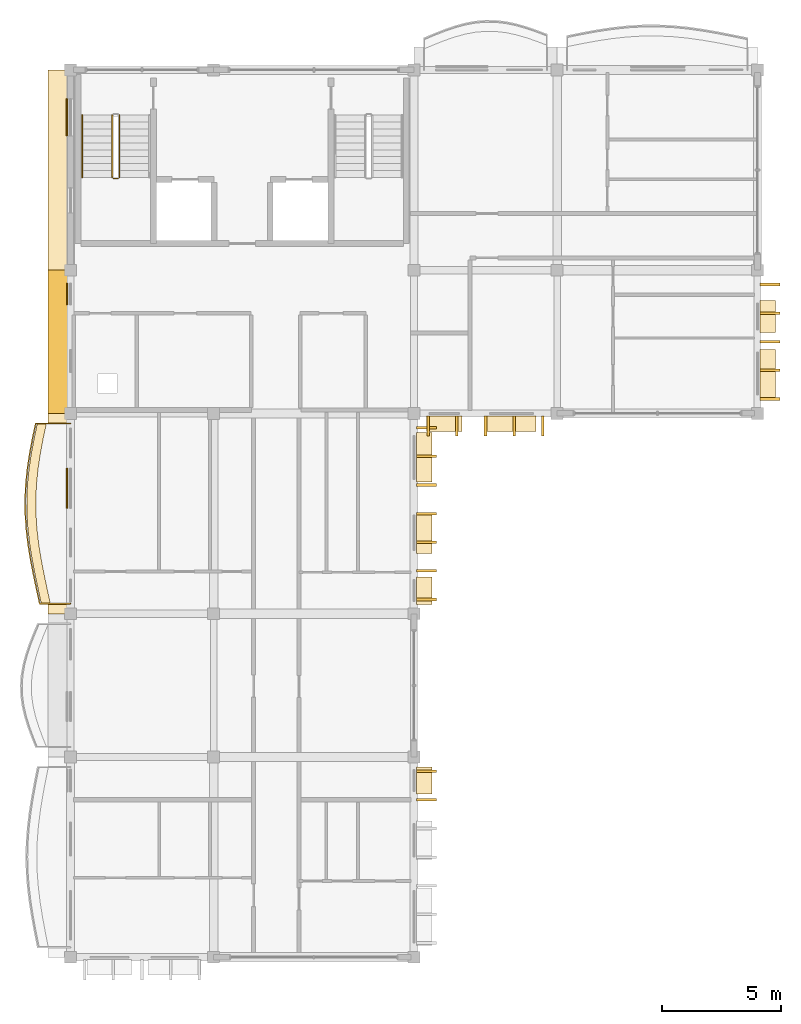
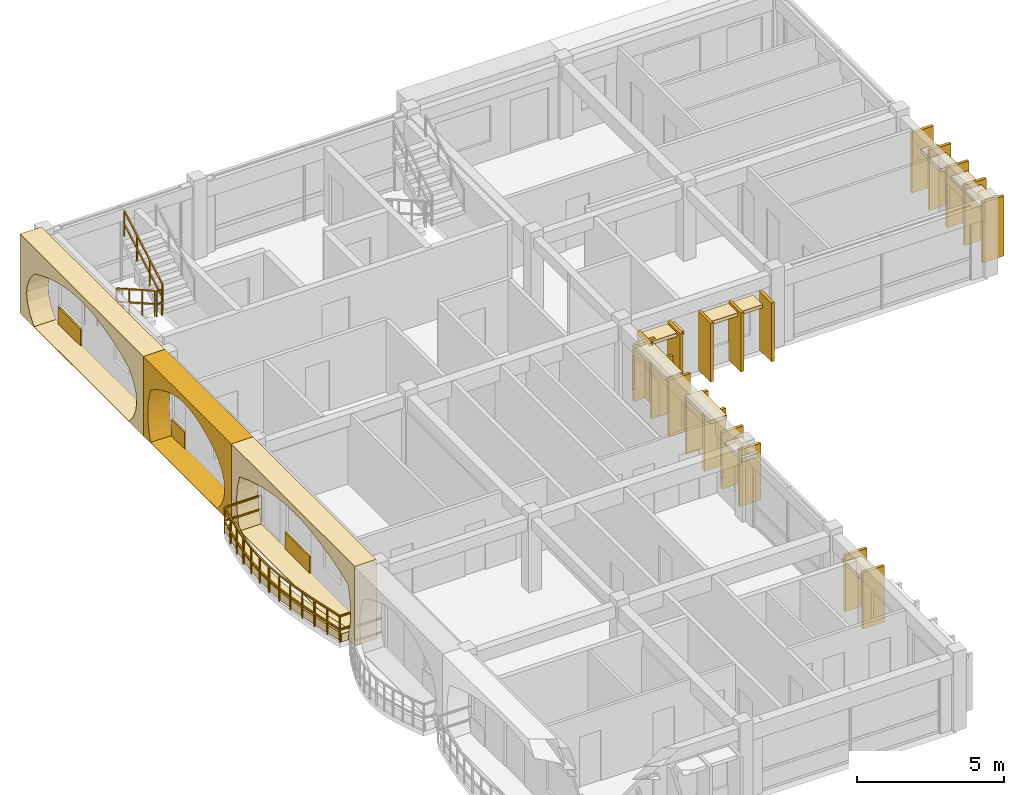
# One storey, part 9 of 10: 34 coverings, 5 railings.
"""IFC4 building model written with IfcOpenShell, lengths in metres."""

from ifc_helpers import new_model, si_unit, direction, frame, origin, origin_2d, place, context, subcontext, project, spatial, polyline, rectangle, outline, extrude, material, layer, layer_set, type_object, element, save


model = new_model("IFC4")

# Units and contexts
model_context = context("Model", 3, precision=1e-05, world=origin(), true_north=direction((0.0, 1.0)))
body_context = subcontext(model_context, "Body", "Model", "MODEL_VIEW")
ifc_project = project(units=[si_unit("LENGTHUNIT", "METRE"), si_unit("AREAUNIT", "SQUARE_METRE"), si_unit("VOLUMEUNIT", "CUBIC_METRE"), si_unit("PLANEANGLEUNIT", "RADIAN"), si_unit("MASSUNIT", "GRAM", prefix="KILO"), si_unit("THERMODYNAMICTEMPERATUREUNIT", "KELVIN")], contexts=[model_context])

# Site, building, storey
site_placement = place(None, origin())
site = spatial("IfcSite", under=ifc_project, at=site_placement, CompositionType="ELEMENT")
building_placement = place(site_placement, origin())
building = spatial("IfcBuilding", under=site, at=building_placement, Name="Thalorik Housing Commons", CompositionType="ELEMENT")
storey_placement = place(building_placement, frame((0.0, 0.0, 44.39990234375)))
storey = spatial("IfcBuildingStorey", under=building, at=storey_placement, Name="L13", CompositionType="ELEMENT", Elevation=44.39990234375)

# Coverings
ifc_material_1 = material(Name="Cobalt blue glazed ceramic facade tile panel", Category="masonry")
ifc_layer_1 = layer(ifc_material_1, 0.06005859375, Name="Cobalt blue glazed ceramic facade tile panel", Category="masonry")
ifc_layer_set_1 = layer_set([ifc_layer_1], Name="Cobalt blue glazed ceramic facade tile panel")
covering_type_1 = type_object("IfcCoveringType", Name="ARC-CLD-BLU-60", PredefinedType="CLADDING", material=ifc_layer_set_1)
covering_1_placement = place(storey_placement, frame((8.262451171875, 106.0673828125, 0.05029296875), z_axis=(0.0, 0.0, 1.0), x_axis=(0.0, -1.0, 0.0)))
element("IfcCovering", 1, at=covering_1_placement, inside=storey, type_object=covering_type_1, Name="L13 De Stijl Recessed Window Spandrel 1286", PredefinedType="CLADDING", context=body_context, shape_type="SweptSolid", body=[
    extrude(rectangle(XDim=1.679931640625, YDim=0.06005859375, at=origin_2d()), origin(), (0.0, 0.0, 1.0), 0.699951171875),
])
ifc_material_2 = material(Name="Precast concrete C40/50", Category="concrete")
ifc_layer_2 = layer(ifc_material_2, 0.85009765625, Name="Precast concrete C40/50", Category="concrete")
ifc_layer_set_2 = layer_set([ifc_layer_2], Name="Precast concrete C40/50")
covering_type_2 = type_object("IfcCoveringType", Name="ARC-CLD-CUSH-850", PredefinedType="CLADDING", material=ifc_layer_set_2)
covering_2_placement = place(storey_placement, frame((7.87255859375, 119.39990234375, 0.0), z_axis=(0.0, 0.0, 1.0), x_axis=(0.0, -1.0, 0.0)))
element("IfcCovering", 2, at=covering_2_placement, inside=storey, type_object=covering_type_2, Name="L13 White Precast Curved Cushion Bay Frame 1281", PredefinedType="CLADDING", context=body_context, shape_type="SweptSolid", body=[
    extrude(outline(polyline([(-4.199951171875, 0.0), (4.199951171875, 0.0), (4.199951171875, 3.300048828125), (-4.199951171875, 3.300048828125), (-4.199951171875, 0.0)]), holes=[polyline([(3.239990234375, 0.02490234375), (3.523193359375, 0.390869140625), (3.693359375, 0.756591796875), (3.75, 1.12255859375), (3.693359375, 1.48828125), (3.523193359375, 1.854248046875), (3.239990234375, 2.219970703125), (2.699951171875, 2.469482421875), (2.159912109375, 2.66552734375), (1.6201171875, 2.824462890625), (1.080078125, 2.9423828125), (0.5400390625, 3.015380859375), (0.0, 3.0400390625), (-0.5400390625, 3.015380859375), (-1.080078125, 2.9423828125), (-1.6201171875, 2.824462890625), (-2.159912109375, 2.66552734375), (-2.699951171875, 2.469482421875), (-3.239990234375, 2.219970703125), (-3.523193359375, 1.854248046875), (-3.693359375, 1.48828125), (-3.75, 1.12255859375), (-3.693359375, 0.756591796875), (-3.523193359375, 0.390869140625), (-3.239990234375, 0.02490234375), (3.239990234375, 0.02490234375)])]), frame((0.0, 0.425048828125, 0.0), z_axis=(0.0, -1.0, 0.0), x_axis=(1.0, 0.0, 0.0)), (0.0, 0.0, 1.0), 0.85009765625),
])
covering_3_placement = place(storey_placement, frame((7.87255859375, 112.199951171875, 0.0), z_axis=(0.0, 0.0, 1.0), x_axis=(0.0, -1.0, 0.0)))
element("IfcCovering", 3, at=covering_3_placement, inside=storey, type_object=covering_type_2, Name="L13 White Precast Curved Cushion Bay Frame 1283", PredefinedType="CLADDING", context=body_context, shape_type="SweptSolid", body=[
    extrude(outline(polyline([(-3.0, 0.0), (3.0, 0.0), (3.0, 3.300048828125), (-3.0, 3.300048828125), (-3.0, 0.0)]), holes=[polyline([(2.0400390625, 0.02490234375), (2.3232421875, 0.387451171875), (2.493408203125, 0.75), (2.550048828125, 1.112548828125), (2.493408203125, 1.47509765625), (2.3232421875, 1.83740234375), (2.0400390625, 2.199951171875), (1.661376953125, 2.455810546875), (1.282470703125, 2.656494140625), (0.90380859375, 2.819091796875), (0.52490234375, 2.940185546875), (0.146240234375, 3.014892578125), (-0.232421875, 3.0400390625), (-0.611328125, 3.014892578125), (-0.989990234375, 2.940185546875), (-1.36865234375, 2.819091796875), (-1.74755859375, 2.656494140625), (-2.126220703125, 2.455810546875), (-2.5048828125, 2.199951171875), (-2.609619140625, 1.83740234375), (-2.672119140625, 1.47509765625), (-2.693115234375, 1.112548828125), (-2.672119140625, 0.75), (-2.609619140625, 0.387451171875), (-2.5048828125, 0.02490234375), (2.0400390625, 0.02490234375)])]), frame((0.0, 0.425048828125, 0.0), z_axis=(0.0, -1.0, 0.0), x_axis=(1.0, 0.0, 0.0)), (0.0, 0.0, 1.0), 0.85009765625),
])
covering_4_placement = place(storey_placement, frame((7.87255859375, 105.0, 0.0), z_axis=(0.0, 0.0, 1.0), x_axis=(0.0, -1.0, 0.0)))
element("IfcCovering", 4, at=covering_4_placement, inside=storey, type_object=covering_type_2, Name="L13 White Precast Curved Cushion Bay Frame 1285", PredefinedType="CLADDING", context=body_context, shape_type="SweptSolid", body=[
    extrude(outline(polyline([(-4.199951171875, 0.0), (4.199951171875, 0.0), (4.199951171875, 3.300048828125), (-4.199951171875, 3.300048828125), (-4.199951171875, 0.0)]), holes=[polyline([(3.7451171875, 0.02490234375), (3.841064453125, 0.40087890625), (3.898681640625, 0.776611328125), (3.91796875, 1.152587890625), (3.898681640625, 1.5283203125), (3.841064453125, 1.904296875), (3.7451171875, 2.280029296875), (3.13037109375, 2.51123046875), (2.515869140625, 2.693115234375), (1.9013671875, 2.840087890625), (1.28662109375, 2.94970703125), (0.672119140625, 3.01708984375), (0.0576171875, 3.0400390625), (-0.55712890625, 3.01708984375), (-1.171630859375, 2.94970703125), (-1.7861328125, 2.840087890625), (-2.40087890625, 2.693115234375), (-3.015380859375, 2.51123046875), (-3.6298828125, 2.280029296875), (-3.750244140625, 1.904296875), (-3.822509765625, 1.5283203125), (-3.8466796875, 1.152587890625), (-3.822509765625, 0.776611328125), (-3.750244140625, 0.40087890625), (-3.6298828125, 0.02490234375), (3.7451171875, 0.02490234375)])]), frame((0.0, 0.425048828125, 0.0), z_axis=(0.0, -1.0, 0.0), x_axis=(1.0, 0.0, 0.0)), (0.0, 0.0, 1.0), 0.85009765625),
])
ifc_layer_3 = layer(ifc_material_2, 0.85009765625, Name="Precast concrete C40/50", Category="concrete")
ifc_layer_set_3 = layer_set([ifc_layer_3], Name="Precast concrete C40/50")
covering_type_3 = type_object("IfcCoveringType", Name="ARC-CLD-FIN-850", PredefinedType="CLADDING", material=ifc_layer_set_3)
for number, where, z_axis, x_axis, name in (
    (5, (23.39990234375, 108.672607421875, 0.0400390625), (0.0, 0.0, 1.0), (1.0, 0.0, 0.0), "L13 Courtyard Precast Vertical Brise-Soleil Fin 1263"),
    (6, (24.60009765625, 108.672607421875, 0.0400390625), (0.0, 0.0, 1.0), (1.0, 0.0, 0.0), "L13 Courtyard Precast Vertical Brise-Soleil Fin 1264"),
    (7, (25.800048828125, 108.672607421875, 0.0400390625), (0.0, 0.0, 1.0), (1.0, 0.0, 0.0), "L13 Courtyard Precast Vertical Brise-Soleil Fin 1265"),
    (8, (27.0, 108.672607421875, 0.0400390625), (0.0, 0.0, 1.0), (1.0, 0.0, 0.0), "L13 Courtyard Precast Vertical Brise-Soleil Fin 1266"),
    (9, (28.199951171875, 108.672607421875, 0.0400390625), (0.0, 0.0, 1.0), (1.0, 0.0, 0.0), "L13 Courtyard Precast Vertical Brise-Soleil Fin 1267"),
):
    element("IfcCovering", number, at=place(storey_placement, frame(where, z_axis=z_axis, x_axis=x_axis)), inside=storey, type_object=covering_type_3, Name=name, PredefinedType="CLADDING", context=body_context, shape_type="SweptSolid", body=[
        extrude(rectangle(XDim=0.110107421875, YDim=0.85009765625, at=origin_2d()), origin(), (0.0, 0.0, 1.0), 2.445068359375),
    ])
for number, where, z_axis, x_axis, name in (
    (10, (37.7275390625, 109.800048828125, 0.0400390625), (0.0, 0.0, 1.0), (0.0, 1.0, 0.0), "L13 Courtyard Precast Vertical Brise-Soleil Fin 1270"),
    (11, (37.7275390625, 111.0, 0.0400390625), (0.0, 0.0, 1.0), (0.0, 1.0, 0.0), "L13 Courtyard Precast Vertical Brise-Soleil Fin 1271"),
    (12, (37.7275390625, 112.199951171875, 0.0400390625), (0.0, 0.0, 1.0), (0.0, 1.0, 0.0), "L13 Courtyard Precast Vertical Brise-Soleil Fin 1272"),
    (13, (37.7275390625, 113.39990234375, 0.0400390625), (0.0, 0.0, 1.0), (0.0, 1.0, 0.0), "L13 Courtyard Precast Vertical Brise-Soleil Fin 1273"),
    (14, (37.7275390625, 114.60009765625, 0.0400390625), (0.0, 0.0, 1.0), (0.0, 1.0, 0.0), "L13 Courtyard Precast Vertical Brise-Soleil Fin 1274"),
):
    element("IfcCovering", number, at=place(storey_placement, frame(where, z_axis=z_axis, x_axis=x_axis)), inside=storey, type_object=covering_type_3, Name=name, PredefinedType="CLADDING", context=body_context, shape_type="SweptSolid", body=[
        extrude(rectangle(XDim=0.110107421875, YDim=0.85009765625, at=origin_2d()), origin(), (0.0, 0.0, 1.0), 2.4951171875),
    ])
for number, where, z_axis, x_axis, name in (
    (15, (23.327392578125, 93.0, 0.0400390625), (0.0, 0.0, 1.0), (0.0, 1.0, 0.0), "L13 Courtyard Precast Vertical Brise-Soleil Fin 1303"),
    (16, (23.327392578125, 94.199951171875, 0.0400390625), (0.0, 0.0, 1.0), (0.0, 1.0, 0.0), "L13 Courtyard Precast Vertical Brise-Soleil Fin 1304"),
    (17, (23.327392578125, 101.39990234375, 0.0400390625), (0.0, 0.0, 1.0), (0.0, 1.0, 0.0), "L13 Courtyard Precast Vertical Brise-Soleil Fin 1308"),
    (18, (23.327392578125, 102.60009765625, 0.0400390625), (0.0, 0.0, 1.0), (0.0, 1.0, 0.0), "L13 Courtyard Precast Vertical Brise-Soleil Fin 1309"),
    (19, (23.327392578125, 103.800048828125, 0.0400390625), (0.0, 0.0, 1.0), (0.0, 1.0, 0.0), "L13 Courtyard Precast Vertical Brise-Soleil Fin 1310"),
    (20, (23.327392578125, 105.0, 0.0400390625), (0.0, 0.0, 1.0), (0.0, 1.0, 0.0), "L13 Courtyard Precast Vertical Brise-Soleil Fin 1311"),
    (21, (23.327392578125, 106.199951171875, 0.0400390625), (0.0, 0.0, 1.0), (0.0, 1.0, 0.0), "L13 Courtyard Precast Vertical Brise-Soleil Fin 1312"),
    (22, (23.327392578125, 107.39990234375, 0.0400390625), (0.0, 0.0, 1.0), (0.0, 1.0, 0.0), "L13 Courtyard Precast Vertical Brise-Soleil Fin 1313"),
    (23, (23.327392578125, 108.60009765625, 0.0400390625), (0.0, 0.0, 1.0), (0.0, 1.0, 0.0), "L13 Courtyard Precast Vertical Brise-Soleil Fin 1314"),
):
    element("IfcCovering", number, at=place(storey_placement, frame(where, z_axis=z_axis, x_axis=x_axis)), inside=storey, type_object=covering_type_3, Name=name, PredefinedType="CLADDING", context=body_context, shape_type="SweptSolid", body=[
        extrude(rectangle(XDim=0.110107421875, YDim=0.85009765625, at=origin_2d()), origin(), (0.0, 0.0, 1.0), 2.344970703125),
    ])
ifc_layer_4 = layer(ifc_material_2, 0.64990234375, Name="Precast concrete C40/50", Category="concrete")
ifc_layer_set_4 = layer_set([ifc_layer_4], Name="Precast concrete C40/50")
covering_type_4 = type_object("IfcCoveringType", Name="ARC-CLD-HOOD-650", PredefinedType="CLADDING", material=ifc_layer_set_4)
covering_5_placement = place(storey_placement, frame((24.070068359375, 108.7724609375, 2.240234375), z_axis=(0.0, 0.0, 1.0), x_axis=(1.0, 0.0, 0.0)))
element("IfcCovering", 24, at=covering_5_placement, inside=storey, type_object=covering_type_4, Name="L13 Courtyard Precast Window Sun-Hood 1268", PredefinedType="CLADDING", context=body_context, shape_type="SweptSolid", body=[
    extrude(rectangle(XDim=1.489990234375, YDim=0.64990234375, at=origin_2d()), origin(), (0.0, 0.0, 1.0), 0.139892578125),
])
covering_6_placement = place(storey_placement, frame((26.8798828125, 108.7724609375, 2.25), z_axis=(0.0, 0.0, 1.0), x_axis=(1.0, 0.0, 0.0)))
element("IfcCovering", 25, at=covering_6_placement, inside=storey, type_object=covering_type_4, Name="L13 Courtyard Precast Window Sun-Hood 1269", PredefinedType="CLADDING", context=body_context, shape_type="SweptSolid", body=[
    extrude(rectangle(XDim=2.06005859375, YDim=0.64990234375, at=origin_2d()), origin(), (0.0, 0.0, 1.0), 0.139892578125),
])
covering_7_placement = place(storey_placement, frame((37.62744140625, 110.87548828125, 2.2099609375), z_axis=(0.0, 0.0, 1.0), x_axis=(0.0, 1.0, 0.0)))
element("IfcCovering", 26, at=covering_7_placement, inside=storey, type_object=covering_type_4, Name="L13 Courtyard Precast Window Sun-Hood 1275", PredefinedType="CLADDING", context=body_context, shape_type="SweptSolid", body=[
    extrude(rectangle(XDim=2.02001953125, YDim=0.64990234375, at=origin_2d()), origin(), (0.0, 0.0, 1.0), 0.139892578125),
])
covering_8_placement = place(storey_placement, frame((37.62744140625, 113.26513671875, 2.09033203125), z_axis=(0.0, 0.0, 1.0), x_axis=(0.0, 1.0, 0.0)))
element("IfcCovering", 27, at=covering_8_placement, inside=storey, type_object=covering_type_4, Name="L13 Courtyard Precast Window Sun-Hood 1276", PredefinedType="CLADDING", context=body_context, shape_type="SweptSolid", body=[
    extrude(rectangle(XDim=1.340087890625, YDim=0.64990234375, at=origin_2d()), origin(), (0.0, 0.0, 1.0), 0.139892578125),
])
for number, where, z_axis, x_axis, name in (
    (28, (23.2275390625, 93.804931640625, 1.990234375), (0.0, 0.0, 1.0), (0.0, 1.0, 0.0), "L13 Courtyard Precast Window Sun-Hood 1307"),
    (29, (23.2275390625, 101.7666015625, 1.990234375), (0.0, 0.0, 1.0), (0.0, 1.0, 0.0), "L13 Courtyard Precast Window Sun-Hood 1315"),
):
    element("IfcCovering", number, at=place(storey_placement, frame(where, z_axis=z_axis, x_axis=x_axis)), inside=storey, type_object=covering_type_4, Name=name, PredefinedType="CLADDING", context=body_context, shape_type="SweptSolid", body=[
        extrude(rectangle(XDim=1.139892578125, YDim=0.64990234375, at=origin_2d()), origin(), (0.0, 0.0, 1.0), 0.139892578125),
    ])
covering_9_placement = place(storey_placement, frame((23.2275390625, 104.19482421875, 2.275390625), z_axis=(0.0, 0.0, 1.0), x_axis=(0.0, 1.0, 0.0)))
element("IfcCovering", 30, at=covering_9_placement, inside=storey, type_object=covering_type_4, Name="L13 Courtyard Precast Window Sun-Hood 1316", PredefinedType="CLADDING", context=body_context, shape_type="SweptSolid", body=[
    extrude(rectangle(XDim=1.719970703125, YDim=0.64990234375, at=origin_2d()), origin(), (0.0, 0.0, 1.0), 0.139892578125),
])
covering_10_placement = place(storey_placement, frame((23.2275390625, 107.3583984375, 2.25), z_axis=(0.0, 0.0, 1.0), x_axis=(0.0, 1.0, 0.0)))
element("IfcCovering", 31, at=covering_10_placement, inside=storey, type_object=covering_type_4, Name="L13 Courtyard Precast Window Sun-Hood 1317", PredefinedType="CLADDING", context=body_context, shape_type="SweptSolid", body=[
    extrude(rectangle(XDim=2.06005859375, YDim=0.64990234375, at=origin_2d()), origin(), (0.0, 0.0, 1.0), 0.139892578125),
])
ifc_material_3 = material(Name="Terracotta red mineral fibre-cement panel", Category="masonry")
ifc_layer_5 = layer(ifc_material_3, 0.054931640625, Name="Terracotta red mineral fibre-cement panel", Category="masonry")
ifc_layer_set_5 = layer_set([ifc_layer_5], Name="Terracotta red mineral fibre-cement panel")
covering_type_5 = type_object("IfcCoveringType", Name="ARC-CLD-RED-55", PredefinedType="CLADDING", material=ifc_layer_set_5)
covering_11_placement = place(storey_placement, frame((8.264892578125, 114.205078125, 0.05029296875), z_axis=(0.0, 0.0, 1.0), x_axis=(0.0, -1.0, 0.0)))
element("IfcCovering", 32, at=covering_11_placement, inside=storey, type_object=covering_type_5, Name="L13 De Stijl Recessed Window Spandrel 1284", PredefinedType="CLADDING", context=body_context, shape_type="SweptSolid", body=[
    extrude(rectangle(XDim=0.89990234375, YDim=0.054931640625, at=origin_2d()), origin(), (0.0, 0.0, 1.0), 0.699951171875),
])
ifc_material_4 = material(Name="Mineral ochre architectural terracotta panel", Category="masonry")
ifc_layer_6 = layer(ifc_material_4, 0.06494140625, Name="Mineral ochre architectural terracotta panel", Category="masonry")
ifc_layer_set_6 = layer_set([ifc_layer_6], Name="Mineral ochre architectural terracotta panel")
covering_type_6 = type_object("IfcCoveringType", Name="ARC-CLD-YEL-65", PredefinedType="CLADDING", material=ifc_layer_set_6)
covering_12_placement = place(storey_placement, frame((8.260009765625, 121.603759765625, 0.05029296875), z_axis=(0.0, 0.0, 1.0), x_axis=(0.0, -1.0, 0.0)))
element("IfcCovering", 33, at=covering_12_placement, inside=storey, type_object=covering_type_6, Name="L13 De Stijl Recessed Window Spandrel 1282", PredefinedType="CLADDING", context=body_context, shape_type="SweptSolid", body=[
    extrude(rectangle(XDim=1.550048828125, YDim=0.06494140625, at=origin_2d()), origin(), (0.0, 0.0, 1.0), 0.699951171875),
])
ifc_material_5 = material(Name="Planted vegetated substrate and terracotta trough", Category="masonry")
ifc_layer_7 = layer(ifc_material_5, 0.340087890625, Name="Planted vegetated substrate and terracotta trough", Category="masonry")
ifc_layer_set_7 = layer_set([ifc_layer_7], Name="Planted vegetated substrate and terracotta trough")
covering_type_7 = type_object("IfcCoveringType", Name="ARC-COV-PLANTER", PredefinedType="USERDEFINED", material=ifc_layer_set_7)
covering_13_placement = place(storey_placement, origin())
element("IfcCovering", 34, at=covering_13_placement, inside=storey, type_object=covering_type_7, Name="L13 Balcony Slab-Edge Planted Trough 5406", ObjectType="PLANTER", PredefinedType="USERDEFINED", context=body_context, shape_type="SweptSolid", body=[
    extrude(outline(polyline([(7.010498046875, 108.780029296875), (6.87646484375, 108.14990234375), (6.75830078125, 107.52001953125), (6.66357421875, 106.889892578125), (6.598876953125, 106.260009765625), (6.568115234375, 105.6298828125), (6.572998046875, 105.0), (6.61376953125, 104.3701171875), (6.686767578125, 103.739990234375), (6.787109375, 103.110107421875), (6.908203125, 102.47998046875), (7.04150390625, 101.85009765625), (7.17822265625, 101.219970703125), (7.558349609375, 101.219970703125), (7.42138671875, 101.85009765625), (7.2880859375, 102.47998046875), (7.167236328125, 103.110107421875), (7.066650390625, 103.739990234375), (6.99365234375, 104.3701171875), (6.953125, 105.0), (6.947998046875, 105.6298828125), (6.978759765625, 106.260009765625), (7.043701171875, 106.889892578125), (7.13818359375, 107.52001953125), (7.256591796875, 108.14990234375), (7.390380859375, 108.780029296875), (7.010498046875, 108.780029296875)])), origin(), (0.0, 0.0, 1.0), 0.340087890625),
])

# Railings
ifc_material_6 = material(Name="Steel S355", Category="steel")
railing_type_1 = type_object("IfcRailingType", Name="ARC-RL-BAL-112", PredefinedType="BALUSTRADE", material=ifc_material_6)
railing_1_placement = place(storey_placement, frame((8.39990234375, 108.780029296875, 0.0)))
element("IfcRailing", 35, at=railing_1_placement, inside=storey, type_object=railing_type_1, Name="L13 Cushion Balcony Guardrail 90", PredefinedType="BALUSTRADE", context=body_context, shape_type="SweptSolid", body=[
    extrude(rectangle(XDim=0.050048828125, YDim=0.050048828125, at=origin_2d()), frame((0.0, 0.0, 1.09521484375), z_axis=(-1.0, 0.0, 0.0), x_axis=(0.0, -1.0, 0.0)), (0.0, 0.0, 1.0), 1.45947265625),
    extrude(rectangle(XDim=0.050048828125, YDim=0.050048828125, at=origin_2d()), frame((0.0, 0.0, 0.53515625), z_axis=(-1.0, 0.0, 0.0), x_axis=(0.0, -1.0, 0.0)), (0.0, 0.0, 1.0), 1.45947265625),
    extrude(rectangle(XDim=0.050048828125, YDim=0.050048828125, at=origin_2d()), frame((-1.45947265625, 0.0, 1.09521484375), z_axis=(-0.208053646486, -0.978117416358, 0.0), x_axis=(0.978117416358, -0.208053646486, 0.0)), (0.0, 0.0, 1.0), 0.644287109375),
    extrude(rectangle(XDim=0.050048828125, YDim=0.050048828125, at=origin_2d()), frame((-1.45947265625, 0.0, 0.53515625), z_axis=(-0.208053646486, -0.978117416358, 0.0), x_axis=(0.978117416358, -0.208053646486, 0.0)), (0.0, 0.0, 1.0), 0.644287109375),
    extrude(rectangle(XDim=0.050048828125, YDim=0.050048828125, at=origin_2d()), frame((-1.593505859375, -0.630126953125, 1.09521484375), z_axis=(-0.18438053763, -0.982854931993, 0.0), x_axis=(0.982854931993, -0.18438053763, 0.0)), (0.0, 0.0, 1.0), 0.640869140625),
    extrude(rectangle(XDim=0.050048828125, YDim=0.050048828125, at=origin_2d()), frame((-1.593505859375, -0.630126953125, 0.53515625), z_axis=(-0.18438053763, -0.982854931993, 0.0), x_axis=(0.982854931993, -0.18438053763, 0.0)), (0.0, 0.0, 1.0), 0.640869140625),
    extrude(rectangle(XDim=0.050048828125, YDim=0.050048828125, at=origin_2d()), frame((-1.711669921875, -1.260009765625, 1.09521484375), z_axis=(-0.148658949274, -0.988888525973, 0.0), x_axis=(0.988888525973, -0.148658949274, 0.0)), (0.0, 0.0, 1.0), 0.63720703125),
    extrude(rectangle(XDim=0.050048828125, YDim=0.050048828125, at=origin_2d()), frame((-1.711669921875, -1.260009765625, 0.53515625), z_axis=(-0.148658949274, -0.988888525973, 0.0), x_axis=(0.988888525973, -0.148658949274, 0.0)), (0.0, 0.0, 1.0), 0.63720703125),
    extrude(rectangle(XDim=0.050048828125, YDim=0.050048828125, at=origin_2d()), frame((-1.806396484375, -1.89013671875, 1.09521484375), z_axis=(-0.102175616173, -0.994766376321, 0.0), x_axis=(0.994766376321, -0.102175616173, 0.0)), (0.0, 0.0, 1.0), 0.63330078125),
    extrude(rectangle(XDim=0.050048828125, YDim=0.050048828125, at=origin_2d()), frame((-1.806396484375, -1.89013671875, 0.53515625), z_axis=(-0.102175616173, -0.994766376321, 0.0), x_axis=(0.994766376321, -0.102175616173, 0.0)), (0.0, 0.0, 1.0), 0.63330078125),
    extrude(rectangle(XDim=0.050048828125, YDim=0.050048828125, at=origin_2d()), frame((-1.87109375, -2.52001953125, 1.09521484375), z_axis=(-0.048760218772, -0.998810513093, 0.0), x_axis=(0.998810513093, -0.048760218772, 0.0)), (0.0, 0.0, 1.0), 0.630859375),
    extrude(rectangle(XDim=0.050048828125, YDim=0.050048828125, at=origin_2d()), frame((-1.87109375, -2.52001953125, 0.53515625), z_axis=(-0.048760218772, -0.998810513093, 0.0), x_axis=(0.998810513093, -0.048760218772, 0.0)), (0.0, 0.0, 1.0), 0.630859375),
    extrude(rectangle(XDim=0.050048828125, YDim=0.050048828125, at=origin_2d()), frame((-1.90185546875, -3.150146484375, 1.09521484375), z_axis=(0.008139265267, -0.999966875632, 0.0), x_axis=(0.999966875632, 0.008139265267, 0.0)), (0.0, 0.0, 1.0), 0.6298828125),
    extrude(rectangle(XDim=0.050048828125, YDim=0.050048828125, at=origin_2d()), frame((-1.90185546875, -3.150146484375, 0.53515625), z_axis=(0.008139265267, -0.999966875632, 0.0), x_axis=(0.999966875632, 0.008139265267, 0.0)), (0.0, 0.0, 1.0), 0.6298828125),
    extrude(rectangle(XDim=0.050048828125, YDim=0.050048828125, at=origin_2d()), frame((-1.896728515625, -3.780029296875, 1.09521484375), z_axis=(0.064208318531, -0.997936516935, 0.0), x_axis=(0.997936516935, 0.064208318531, 0.0)), (0.0, 0.0, 1.0), 0.631103515625),
    extrude(rectangle(XDim=0.050048828125, YDim=0.050048828125, at=origin_2d()), frame((-1.896728515625, -3.780029296875, 0.53515625), z_axis=(0.064208318531, -0.997936516935, 0.0), x_axis=(0.997936516935, 0.064208318531, 0.0)), (0.0, 0.0, 1.0), 0.631103515625),
    extrude(rectangle(XDim=0.050048828125, YDim=0.050048828125, at=origin_2d()), frame((-1.856201171875, -4.409912109375, 1.09521484375), z_axis=(0.115076953652, -0.993356579853, 0.0), x_axis=(0.993356579853, 0.115076953652, 0.0)), (0.0, 0.0, 1.0), 0.63427734375),
    extrude(rectangle(XDim=0.050048828125, YDim=0.050048828125, at=origin_2d()), frame((-1.856201171875, -4.409912109375, 0.53515625), z_axis=(0.115076953652, -0.993356579853, 0.0), x_axis=(0.993356579853, 0.115076953652, 0.0)), (0.0, 0.0, 1.0), 0.63427734375),
    extrude(rectangle(XDim=0.050048828125, YDim=0.050048828125, at=origin_2d()), frame((-1.783203125, -5.0400390625, 1.09521484375), z_axis=(0.157691938952, -0.987488355572, 0.0), x_axis=(0.987488355572, 0.157691938952, 0.0)), (0.0, 0.0, 1.0), 0.637939453125),
    extrude(rectangle(XDim=0.050048828125, YDim=0.050048828125, at=origin_2d()), frame((-1.783203125, -5.0400390625, 0.53515625), z_axis=(0.157691938952, -0.987488355572, 0.0), x_axis=(0.987488355572, 0.157691938952, 0.0)), (0.0, 0.0, 1.0), 0.637939453125),
    extrude(rectangle(XDim=0.050048828125, YDim=0.050048828125, at=origin_2d()), frame((-1.6826171875, -5.669921875, 1.09521484375), z_axis=(0.188353409895, -0.982101315029, 0.0), x_axis=(0.982101315029, 0.188353409895, 0.0)), (0.0, 0.0, 1.0), 0.6416015625),
    extrude(rectangle(XDim=0.050048828125, YDim=0.050048828125, at=origin_2d()), frame((-1.6826171875, -5.669921875, 0.53515625), z_axis=(0.188353409895, -0.982101315029, 0.0), x_axis=(0.982101315029, 0.188353409895, 0.0)), (0.0, 0.0, 1.0), 0.6416015625),
    extrude(rectangle(XDim=0.050048828125, YDim=0.050048828125, at=origin_2d()), frame((-1.561767578125, -6.300048828125, 1.09521484375), z_axis=(0.207042349517, -0.978331981235, 0.0), x_axis=(0.978331981235, 0.207042349517, 0.0)), (0.0, 0.0, 1.0), 0.643798828125),
    extrude(rectangle(XDim=0.050048828125, YDim=0.050048828125, at=origin_2d()), frame((-1.561767578125, -6.300048828125, 0.53515625), z_axis=(0.207042349517, -0.978331981235, 0.0), x_axis=(0.978331981235, 0.207042349517, 0.0)), (0.0, 0.0, 1.0), 0.643798828125),
    extrude(rectangle(XDim=0.050048828125, YDim=0.050048828125, at=origin_2d()), frame((-1.428466796875, -6.929931640625, 1.09521484375), z_axis=(0.212398207586, -0.977183197468, 0.0), x_axis=(0.977183197468, 0.212398207586, 0.0)), (0.0, 0.0, 1.0), 0.644775390625),
    extrude(rectangle(XDim=0.050048828125, YDim=0.050048828125, at=origin_2d()), frame((-1.428466796875, -6.929931640625, 0.53515625), z_axis=(0.212398207586, -0.977183197468, 0.0), x_axis=(0.977183197468, 0.212398207586, 0.0)), (0.0, 0.0, 1.0), 0.644775390625),
    extrude(rectangle(XDim=0.050048828125, YDim=0.050048828125, at=origin_2d()), frame((-1.29150390625, -7.56005859375, 1.09521484375), z_axis=(1.0, 0.0, 0.0), x_axis=(0.0, 1.0, 0.0)), (0.0, 0.0, 1.0), 1.29150390625),
    extrude(rectangle(XDim=0.050048828125, YDim=0.050048828125, at=origin_2d()), frame((-1.29150390625, -7.56005859375, 0.53515625), z_axis=(1.0, 0.0, 0.0), x_axis=(0.0, 1.0, 0.0)), (0.0, 0.0, 1.0), 1.29150390625),
    extrude(rectangle(XDim=0.0419921875, YDim=0.0419921875, at=origin_2d()), origin(), (0.0, 0.0, 1.0), 1.070068359375),
    extrude(rectangle(XDim=0.0419921875, YDim=0.0419921875, at=origin_2d()), frame((-1.45947265625, 0.0, 0.0)), (0.0, 0.0, 1.0), 1.070068359375),
    extrude(rectangle(XDim=0.0419921875, YDim=0.0419921875, at=origin_2d()), frame((-1.593505859375, -0.630126953125, 0.0)), (0.0, 0.0, 1.0), 1.070068359375),
    extrude(rectangle(XDim=0.0419921875, YDim=0.0419921875, at=origin_2d()), frame((-1.711669921875, -1.260009765625, 0.0)), (0.0, 0.0, 1.0), 1.070068359375),
    extrude(rectangle(XDim=0.0419921875, YDim=0.0419921875, at=origin_2d()), frame((-1.806396484375, -1.89013671875, 0.0)), (0.0, 0.0, 1.0), 1.070068359375),
    extrude(rectangle(XDim=0.0419921875, YDim=0.0419921875, at=origin_2d()), frame((-1.87109375, -2.52001953125, 0.0)), (0.0, 0.0, 1.0), 1.070068359375),
    extrude(rectangle(XDim=0.0419921875, YDim=0.0419921875, at=origin_2d()), frame((-1.90185546875, -3.150146484375, 0.0)), (0.0, 0.0, 1.0), 1.070068359375),
    extrude(rectangle(XDim=0.0419921875, YDim=0.0419921875, at=origin_2d()), frame((-1.896728515625, -3.780029296875, 0.0)), (0.0, 0.0, 1.0), 1.070068359375),
    extrude(rectangle(XDim=0.0419921875, YDim=0.0419921875, at=origin_2d()), frame((-1.856201171875, -4.409912109375, 0.0)), (0.0, 0.0, 1.0), 1.070068359375),
    extrude(rectangle(XDim=0.0419921875, YDim=0.0419921875, at=origin_2d()), frame((-1.783203125, -5.0400390625, 0.0)), (0.0, 0.0, 1.0), 1.070068359375),
    extrude(rectangle(XDim=0.0419921875, YDim=0.0419921875, at=origin_2d()), frame((-1.6826171875, -5.669921875, 0.0)), (0.0, 0.0, 1.0), 1.070068359375),
    extrude(rectangle(XDim=0.0419921875, YDim=0.0419921875, at=origin_2d()), frame((-1.561767578125, -6.300048828125, 0.0)), (0.0, 0.0, 1.0), 1.070068359375),
    extrude(rectangle(XDim=0.0419921875, YDim=0.0419921875, at=origin_2d()), frame((-1.428466796875, -6.929931640625, 0.0)), (0.0, 0.0, 1.0), 1.070068359375),
    extrude(rectangle(XDim=0.0419921875, YDim=0.0419921875, at=origin_2d()), frame((-1.29150390625, -7.56005859375, 0.0)), (0.0, 0.0, 1.0), 1.070068359375),
    extrude(rectangle(XDim=0.0419921875, YDim=0.0419921875, at=origin_2d()), frame((0.0, -7.56005859375, 0.0)), (0.0, 0.0, 1.0), 1.070068359375),
])
railing_type_2 = type_object("IfcRailingType", Name="ARC-RL-STR-GRD110", PredefinedType="GUARDRAIL", material=ifc_material_6)
railing_2_placement = place(storey_placement, frame((10.14990234375, 121.699951171875, 0.1650390625)))
element("IfcRailing", 36, at=railing_2_placement, inside=storey, type_object=railing_type_2, Name="L13 ST-A1 stair guard 1", PredefinedType="GUARDRAIL", context=body_context, shape_type="SweptSolid", body=[
    extrude(rectangle(XDim=0.048095703125, YDim=0.048095703125, at=origin_2d()), frame((0.0, 0.0, 1.076171875), z_axis=(0.0, -0.869137319866, 0.494570843475), x_axis=(1.0, 0.0, 0.0)), (0.0, 0.0, 1.0), 3.0029296875),
    extrude(rectangle(XDim=0.048095703125, YDim=0.048095703125, at=origin_2d()), frame((0.0, 0.0, 0.52587890625), z_axis=(0.0, -0.869137319866, 0.494570843475), x_axis=(1.0, 0.0, 0.0)), (0.0, 0.0, 1.0), 3.0029296875),
    extrude(rectangle(XDim=0.0419921875, YDim=0.0419921875, at=origin_2d()), origin(), (0.0, 0.0, 1.0), 1.052001953125),
    extrude(rectangle(XDim=0.0419921875, YDim=0.0419921875, at=origin_2d()), frame((0.0, -0.869873046875, 0.4951171875)), (0.0, 0.0, 1.0), 1.052001953125),
    extrude(rectangle(XDim=0.0419921875, YDim=0.0419921875, at=origin_2d()), frame((0.0, -1.739990234375, 0.989990234375)), (0.0, 0.0, 1.0), 1.052001953125),
    extrude(rectangle(XDim=0.0419921875, YDim=0.0419921875, at=origin_2d()), frame((0.0, -2.60986328125, 1.485107421875)), (0.0, 0.0, 1.0), 1.052001953125),
])
railing_3_placement = place(storey_placement, frame((10.199951171875, 119.0400390625, 1.650146484375)))
element("IfcRailing", 37, at=railing_3_placement, inside=storey, type_object=railing_type_2, Name="L13 ST-A1 stair guard 2", PredefinedType="GUARDRAIL", context=body_context, shape_type="SweptSolid", body=[
    extrude(rectangle(XDim=0.048095703125, YDim=0.048095703125, at=origin_2d()), frame((0.0, 0.0, 1.076171875), z_axis=(1.0, 0.0, 0.0), x_axis=(0.0, 1.0, 0.0)), (0.0, 0.0, 1.0), 0.199951171875),
    extrude(rectangle(XDim=0.048095703125, YDim=0.048095703125, at=origin_2d()), frame((0.0, 0.0, 0.52587890625), z_axis=(1.0, 0.0, 0.0), x_axis=(0.0, 1.0, 0.0)), (0.0, 0.0, 1.0), 0.199951171875),
    extrude(rectangle(XDim=0.0419921875, YDim=0.0419921875, at=origin_2d()), origin(), (0.0, 0.0, 1.0), 1.052001953125),
    extrude(rectangle(XDim=0.0419921875, YDim=0.0419921875, at=origin_2d()), frame((0.199951171875, 0.0, 0.0)), (0.0, 0.0, 1.0), 1.052001953125),
])
railing_4_placement = place(storey_placement, frame((10.449951171875, 119.090087890625, 1.815185546875)))
element("IfcRailing", 38, at=railing_4_placement, inside=storey, type_object=railing_type_2, Name="L13 ST-A1 stair guard 3", PredefinedType="GUARDRAIL", context=body_context, shape_type="SweptSolid", body=[
    extrude(rectangle(XDim=0.048095703125, YDim=0.048095703125, at=origin_2d()), frame((0.0, 0.0, 1.076171875), z_axis=(0.0, 0.869172267526, 0.494509422927), x_axis=(-1.0, 0.0, 0.0)), (0.0, 0.0, 1.0), 3.002685546875),
    extrude(rectangle(XDim=0.048095703125, YDim=0.048095703125, at=origin_2d()), frame((0.0, 0.0, 0.52587890625), z_axis=(0.0, 0.869172267526, 0.494509422927), x_axis=(-1.0, 0.0, 0.0)), (0.0, 0.0, 1.0), 3.002685546875),
    extrude(rectangle(XDim=0.0419921875, YDim=0.0419921875, at=origin_2d()), origin(), (0.0, 0.0, 1.0), 1.052001953125),
    extrude(rectangle(XDim=0.0419921875, YDim=0.0419921875, at=origin_2d()), frame((0.0, 0.869873046875, 0.494873046875)), (0.0, 0.0, 1.0), 1.052001953125),
    extrude(rectangle(XDim=0.0419921875, YDim=0.0419921875, at=origin_2d()), frame((0.0, 1.739990234375, 0.989990234375)), (0.0, 0.0, 1.0), 1.052001953125),
    extrude(rectangle(XDim=0.0419921875, YDim=0.0419921875, at=origin_2d()), frame((0.0, 2.60986328125, 1.48486328125)), (0.0, 0.0, 1.0), 1.052001953125),
])
railing_type_3 = type_object("IfcRailingType", Name="ARC-RL-STR-HR092", PredefinedType="HANDRAIL", material=ifc_material_6)
railing_5_placement = place(storey_placement, frame((8.89990234375, 121.699951171875, 0.1650390625)))
element("IfcRailing", 39, at=railing_5_placement, inside=storey, type_object=railing_type_3, Name="L13 ST-A1 stair handrail 1", PredefinedType="HANDRAIL", context=body_context, shape_type="SweptSolid", body=[
    extrude(rectangle(XDim=0.048095703125, YDim=0.048095703125, at=origin_2d()), frame((0.0, 0.0, 0.89599609375), z_axis=(0.0, -0.869137319866, 0.494570843475), x_axis=(1.0, 0.0, 0.0)), (0.0, 0.0, 1.0), 3.0029296875),
    extrude(rectangle(XDim=0.0419921875, YDim=0.0419921875, at=origin_2d()), origin(), (0.0, 0.0, 1.0), 0.871826171875),
    extrude(rectangle(XDim=0.0419921875, YDim=0.0419921875, at=origin_2d()), frame((0.0, -0.869873046875, 0.4951171875)), (0.0, 0.0, 1.0), 0.871826171875),
    extrude(rectangle(XDim=0.0419921875, YDim=0.0419921875, at=origin_2d()), frame((0.0, -1.739990234375, 0.989990234375)), (0.0, 0.0, 1.0), 0.871826171875),
    extrude(rectangle(XDim=0.0419921875, YDim=0.0419921875, at=origin_2d()), frame((0.0, -2.60986328125, 1.485107421875)), (0.0, 0.0, 1.0), 0.871826171875),
])

save(model, "model.ifc")
